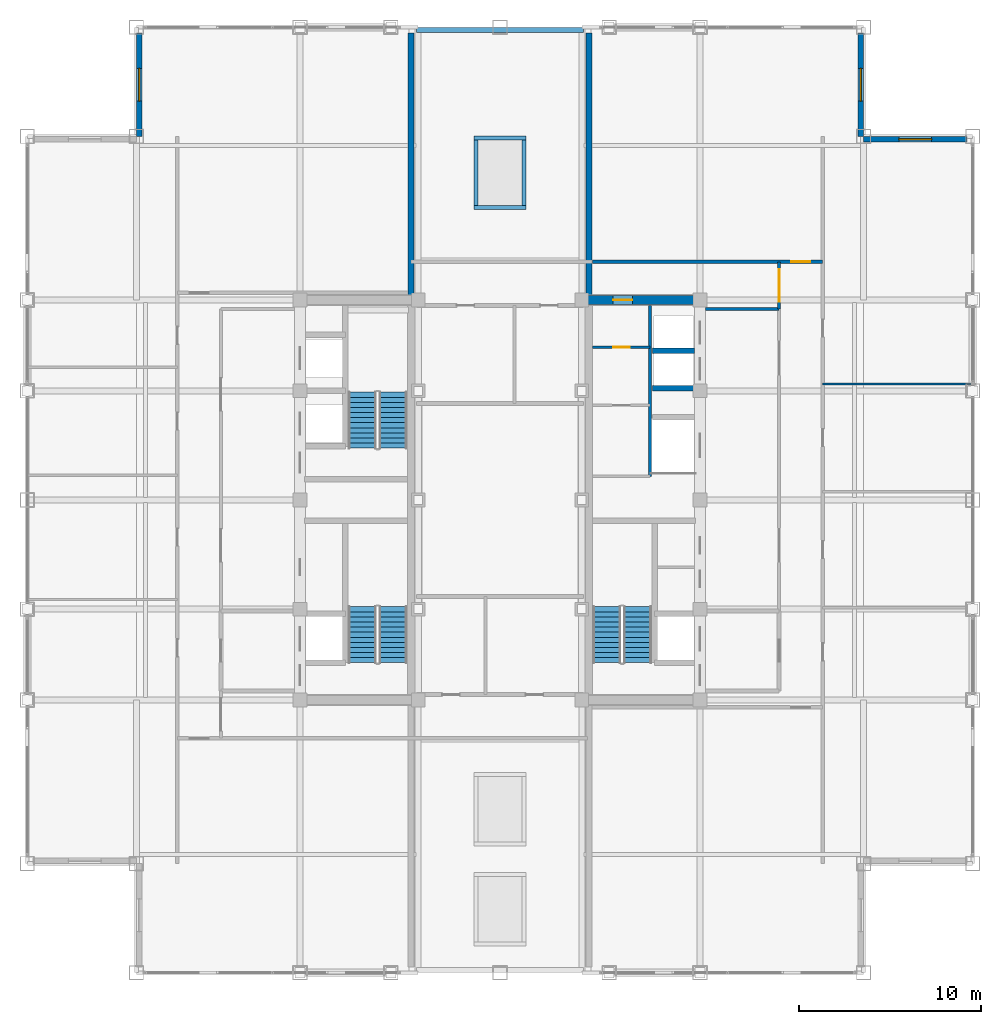
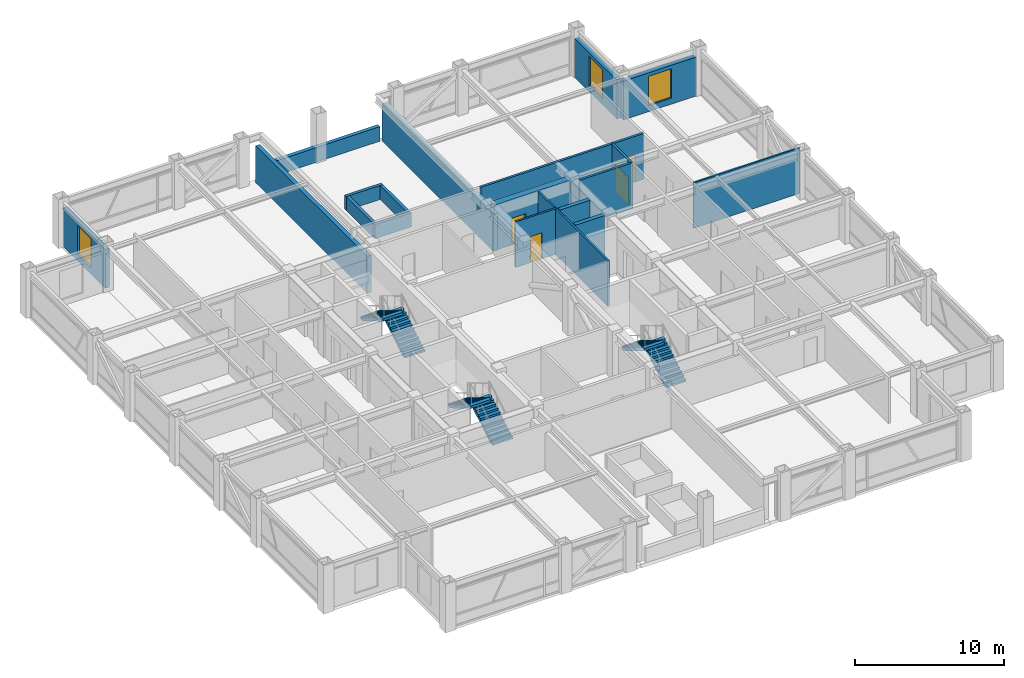
# One storey, part 28 of 29: 19 walls, 6 stair flights, 4 doors, 3 windows, 7 openings, 3 elements without a shape of their own.
"""IFC4 building model written with IfcOpenShell, lengths in metres."""

from ifc_helpers import new_model, si_unit, direction, frame, frame_2d, origin, place, context, subcontext, project, spatial, polyline, rectangle, outline, extrude, source, transform, mapped, material, layer, layer_set, type_object, element, fill, aggregate, save


model = new_model("IFC4")

# Units and contexts
model_context = context("Model", 3, precision=1e-05, world=origin(), true_north=direction((0.0, 1.0)))
body_context = subcontext(model_context, "Body", "Model", "MODEL_VIEW")
ifc_project = project(units=[si_unit("LENGTHUNIT", "METRE"), si_unit("AREAUNIT", "SQUARE_METRE"), si_unit("VOLUMEUNIT", "CUBIC_METRE"), si_unit("PLANEANGLEUNIT", "RADIAN"), si_unit("MASSUNIT", "GRAM", prefix="KILO")], contexts=[model_context])

# Site, building, storey
site_placement = place(None, origin())
site = spatial("IfcSite", under=ifc_project, at=site_placement, CompositionType="ELEMENT")
building_placement = place(site_placement, origin())
building = spatial("IfcBuilding", under=site, at=building_placement, Name="Khorayat Bourse Tower", CompositionType="ELEMENT")
storey_placement = place(building_placement, frame((0.0, 0.0, 346.300048828125)))
storey = spatial("IfcBuildingStorey", under=building, at=storey_placement, Name="L82", CompositionType="ELEMENT", Elevation=346.300048828125)

# Wall, opening, door
ifc_material_1 = material(Name="Concrete C52/65", Category="concrete")
ifc_layer_1 = layer(ifc_material_1, 0.5)
ifc_layer_set_1 = layer_set([ifc_layer_1], Name="Concrete C52/65")
wall_type_1 = type_object("IfcWallType", Name="WAL-CORE-500", PredefinedType="SHEAR", material=ifc_layer_set_1)
shared_shape_1 = source(origin(), body_context, "Body", "SweptSolid", [
    extrude(rectangle(XDim=5.89990234375, YDim=0.5, at=frame_2d((2.949951171875, 0.0))), origin(), (0.0, 0.0, 1.0), 3.739990234375),
])
wall_1_placement = place(storey_placement, frame((4.85009765625, 11.0, 0.0), z_axis=(0.0, 0.0, 1.0), x_axis=(1.0, 0.0, 0.0)))
wall_1 = element("IfcWall", 1, at=wall_1_placement, inside=storey, type_object=wall_type_1, Name="L82 Core Shear Wall PIER-EN", PredefinedType="SHEAR", context=body_context, shape_type="MappedRepresentation", body=[
    mapped(shared_shape_1, transform((0.0, 0.0, 0.0), scale=1.0)),
])
shared_shape_2 = source(origin(), body_context, "Body", "SweptSolid", [
    extrude(rectangle(XDim=1.050048828125, YDim=2.199951171875, at=frame_2d((0.52490234375, 1.10009765625))), frame((0.0, 0.260009765625, 0.0), z_axis=(0.0, -1.0, 0.0), x_axis=(1.0, 0.0, 0.0)), (0.0, 0.0, 1.0), 0.52001953125),
])
opening_1_placement = place(wall_1_placement, frame((1.375, 0.0, 0.0)))
opening_1 = element("IfcOpeningElement", 2, at=opening_1_placement, cuts=wall_1, Name="Opening DI-04", PredefinedType="OPENING", context=body_context, shape_type="MappedRepresentation", body=[
    mapped(shared_shape_2, transform((0.0, 0.0, 0.0), scale=1.0)),
])
ifc_material_2 = material(Name="Fire-rated oak veneer suite entrance door")
door_type_1 = type_object("IfcDoorType", Name="DR-INT-SUITE-1050", OperationType="NOTDEFINED", PredefinedType="DOOR", material=ifc_material_2)
shared_shape_3 = source(origin(), body_context, "Body", "SweptSolid", [
    extrude(rectangle(XDim=1.050048828125, YDim=2.199951171875, at=frame_2d((0.52490234375, 1.10009765625))), frame((0.0, 0.02490234375, 0.0), z_axis=(0.0, -1.0, 0.0), x_axis=(1.0, 0.0, 0.0)), (0.0, 0.0, 1.0), 0.050048828125),
])
door_1_placement = place(opening_1_placement, origin())
door_1 = element("IfcDoor", 3, at=door_1_placement, inside=storey, type_object=door_type_1, Name="L82 Core Washroom Lobby Door", OperationType="SINGLE_SWING_LEFT", OverallHeight=2.199951171875, OverallWidth=1.050048828125, PredefinedType="DOOR", context=body_context, shape_type="MappedRepresentation", body=[
    mapped(shared_shape_3, transform((0.0, 0.0, 0.0), scale=1.0)),
])
fill(opening_1, door_1)

# Wall, opening, window
ifc_material_3 = material(Name="Precast concrete C45/55", Category="concrete")
ifc_layer_2 = layer(ifc_material_3, 0.320068359375)
ifc_layer_set_2 = layer_set([ifc_layer_2], Name="Precast concrete C45/55")
wall_type_2 = type_object("IfcWallType", Name="WAL-EXT-STONE-320", PredefinedType="STANDARD", material=ifc_layer_set_2)
shared_shape_4 = source(origin(), body_context, "Body", "SweptSolid", [
    extrude(rectangle(XDim=5.679931640625, YDim=0.320068359375, at=frame_2d((2.83984375, 0.0))), origin(), (0.0, 0.0, 1.0), 3.19091796875),
])
wall_2_placement = place(storey_placement, frame((20.0, 19.840087890625, 0.0), z_axis=(0.0, 0.0, 1.0), x_axis=(1.0, 0.0, 0.0)))
wall_2 = element("IfcWall", 4, at=wall_2_placement, inside=storey, type_object=wall_type_2, Name="L82 Re-Entrant Notch Limestone Wall NE-H", PredefinedType="STANDARD", context=body_context, shape_type="MappedRepresentation", body=[
    mapped(shared_shape_4, transform((0.0, 0.0, 0.0), scale=1.0)),
])
shared_shape_5 = source(origin(), body_context, "Body", "SweptSolid", [
    extrude(rectangle(XDim=1.800048828125, YDim=2.39990234375, at=frame_2d((0.89990234375, 1.199951171875))), frame((0.0, 0.169921875, 0.0), z_axis=(0.0, -1.0, 0.0), x_axis=(1.0, 0.0, 0.0)), (0.0, 0.0, 1.0), 0.340087890625),
])
opening_2_placement = place(wall_2_placement, frame((1.93994140625, 0.0, 0.5)))
opening_2 = element("IfcOpeningElement", 5, at=opening_2_placement, cuts=wall_2, Name="Opening WN-04", PredefinedType="OPENING", context=body_context, shape_type="MappedRepresentation", body=[
    mapped(shared_shape_5, transform((0.0, 0.0, 0.0), scale=1.0)),
])
ifc_material_4 = material(Name="Low-E acoustic laminated double glazing", Category="glass")
window_type = type_object("IfcWindowType", Name="WIN-NOTCH-1800x2400", PartitioningType="SINGLE_PANEL", PredefinedType="WINDOW", material=ifc_material_4)
shared_shape_6 = source(origin(), body_context, "Body", "SweptSolid", [
    extrude(rectangle(XDim=1.800048828125, YDim=2.39990234375, at=frame_2d((0.89990234375, 1.199951171875))), frame((0.0, 0.030029296875, 0.0), z_axis=(0.0, -1.0, 0.0), x_axis=(1.0, 0.0, 0.0)), (0.0, 0.0, 1.0), 0.06005859375),
])
window_1_placement = place(opening_2_placement, origin())
window_1 = element("IfcWindow", 6, at=window_1_placement, inside=storey, type_object=window_type, Name="L82 Facade Window 1", OverallHeight=2.39990234375, OverallWidth=1.800048828125, PartitioningType="SINGLE_PANEL", PredefinedType="WINDOW", context=body_context, shape_type="MappedRepresentation", body=[
    mapped(shared_shape_6, transform((0.0, 0.0, 0.0), scale=1.0)),
])
fill(opening_2, window_1)

wall_3_placement = place(storey_placement, frame((19.840087890625, 20.0, 0.0), z_axis=(0.0, 0.0, 1.0), x_axis=(0.0, 1.0, 0.0)))
wall_3 = element("IfcWall", 7, at=wall_3_placement, inside=storey, type_object=wall_type_2, Name="L82 Re-Entrant Notch Limestone Wall NE-V", PredefinedType="STANDARD", context=body_context, shape_type="MappedRepresentation", body=[
    mapped(shared_shape_4, transform((0.0, 0.0, 0.0), scale=1.0)),
])
opening_3_placement = place(wall_3_placement, frame((1.93994140625, 0.0, 0.5)))
opening_3 = element("IfcOpeningElement", 8, at=opening_3_placement, cuts=wall_3, Name="Opening WN-04", PredefinedType="OPENING", context=body_context, shape_type="MappedRepresentation", body=[
    mapped(shared_shape_5, transform((0.0, 0.0, 0.0), scale=1.0)),
])
window_2_placement = place(opening_3_placement, origin())
window_2 = element("IfcWindow", 9, at=window_2_placement, inside=storey, type_object=window_type, Name="L82 Facade Window 1", OverallHeight=2.39990234375, OverallWidth=1.800048828125, PartitioningType="SINGLE_PANEL", PredefinedType="WINDOW", context=body_context, shape_type="MappedRepresentation", body=[
    mapped(shared_shape_6, transform((0.0, 0.0, 0.0), scale=1.0)),
])
fill(opening_3, window_2)

wall_4_placement = place(storey_placement, frame((-19.840087890625, 20.0, 0.0), z_axis=(0.0, 0.0, 1.0), x_axis=(0.0, 1.0, 0.0)))
wall_4 = element("IfcWall", 10, at=wall_4_placement, inside=storey, type_object=wall_type_2, Name="L82 Re-Entrant Notch Limestone Wall NW-V", PredefinedType="STANDARD", context=body_context, shape_type="MappedRepresentation", body=[
    mapped(shared_shape_4, transform((0.0, 0.0, 0.0), scale=1.0)),
])
opening_4_placement = place(wall_4_placement, frame((1.93994140625, 0.0, 0.5)))
opening_4 = element("IfcOpeningElement", 11, at=opening_4_placement, cuts=wall_4, Name="Opening WN-04", PredefinedType="OPENING", context=body_context, shape_type="MappedRepresentation", body=[
    mapped(shared_shape_5, transform((0.0, 0.0, 0.0), scale=1.0)),
])
window_3_placement = place(opening_4_placement, origin())
window_3 = element("IfcWindow", 12, at=window_3_placement, inside=storey, type_object=window_type, Name="L82 Facade Window 1", OverallHeight=2.39990234375, OverallWidth=1.800048828125, PartitioningType="SINGLE_PANEL", PredefinedType="WINDOW", context=body_context, shape_type="MappedRepresentation", body=[
    mapped(shared_shape_6, transform((0.0, 0.0, 0.0), scale=1.0)),
])
fill(opening_4, window_3)

# Walls
ifc_layer_3 = layer(ifc_material_3, 0.280029296875)
ifc_layer_set_3 = layer_set([ifc_layer_3], Name="Precast concrete C45/55")
wall_type_3 = type_object("IfcWallType", Name="WAL-PARAPET-280", PredefinedType="PARAPET", material=ifc_layer_set_3)
shared_shape_7 = source(origin(), body_context, "Body", "SweptSolid", [
    extrude(rectangle(XDim=9.2001953125, YDim=0.280029296875, at=frame_2d((4.60009765625, 0.0))), origin(), (0.0, 0.0, 1.0), 1.199951171875),
])
wall_5_placement = place(storey_placement, frame((-4.60009765625, 25.860107421875, 0.0), z_axis=(0.0, 0.0, 1.0), x_axis=(1.0, 0.0, 0.0)))
element("IfcWall", 13, at=wall_5_placement, inside=storey, type_object=wall_type_3, Name="L82 Wind Portal Base Parapet N", PredefinedType="PARAPET", context=body_context, shape_type="MappedRepresentation", body=[
    mapped(shared_shape_7, transform((0.0, 0.0, 0.0), scale=1.0)),
])
shared_shape_8 = source(origin(), body_context, "Body", "SweptSolid", [
    extrude(rectangle(XDim=14.97998046875, YDim=0.320068359375, at=frame_2d((7.489990234375, 0.0))), origin(), (0.0, 0.0, 1.0), 3.044921875),
])
for number, where, z_axis, x_axis, name in (
    (14, (-4.89990234375, 10.699951171875, 0.0), (0.0, 0.0, 1.0), (0.0, 1.0, 0.0), "L82 Wind Portal West Cheek Wall N"),
    (15, (4.89990234375, 10.699951171875, 0.0), (0.0, 0.0, 1.0), (0.0, 1.0, 0.0), "L82 Wind Portal East Cheek Wall N"),
):
    element("IfcWall", number, at=place(storey_placement, frame(where, z_axis=z_axis, x_axis=x_axis)), inside=storey, type_object=wall_type_2, Name=name, PredefinedType="STANDARD", context=body_context, shape_type="MappedRepresentation", body=[
        mapped(shared_shape_8, transform((0.0, 0.0, 0.0), scale=1.0)),
    ])
ifc_layer_4 = layer(ifc_material_3, 0.219970703125)
ifc_layer_set_4 = layer_set([ifc_layer_4], Name="Precast concrete C45/55")
wall_type_4 = type_object("IfcWallType", Name="WAL-PARAPET-220", PredefinedType="PARAPET", material=ifc_layer_set_4)
shared_shape_9 = source(origin(), body_context, "Body", "SweptSolid", [
    extrude(rectangle(XDim=2.83984375, YDim=0.219970703125, at=frame_2d((1.419921875, 0.0))), origin(), (0.0, 0.0, 1.0), 1.14990234375),
])
for number, where, z_axis, x_axis, name in (
    (16, (-1.419921875, 16.090087890625, 0.0), (0.0, 0.0, 1.0), (1.0, 0.0, 0.0), "L82 Roof Opening Upstand Curb SKY-ROOF-N-S"),
    (17, (-1.419921875, 19.909912109375, 0.0), (0.0, 0.0, 1.0), (1.0, 0.0, 0.0), "L82 Roof Opening Upstand Curb SKY-ROOF-N-N"),
):
    element("IfcWall", number, at=place(storey_placement, frame(where, z_axis=z_axis, x_axis=x_axis)), inside=storey, type_object=wall_type_4, Name=name, PredefinedType="PARAPET", context=body_context, shape_type="MappedRepresentation", body=[
        mapped(shared_shape_9, transform((0.0, 0.0, 0.0), scale=1.0)),
    ])
shared_shape_10 = source(origin(), body_context, "Body", "SweptSolid", [
    extrude(rectangle(XDim=3.60009765625, YDim=0.219970703125, at=frame_2d((1.800048828125, 0.0))), origin(), (0.0, 0.0, 1.0), 1.14990234375),
])
for number, where, z_axis, x_axis, name in (
    (18, (-1.31005859375, 16.199951171875, 0.0), (0.0, 0.0, 1.0), (0.0, 1.0, 0.0), "L82 Roof Opening Upstand Curb SKY-ROOF-N-W"),
    (19, (1.31005859375, 16.199951171875, 0.0), (0.0, 0.0, 1.0), (0.0, 1.0, 0.0), "L82 Roof Opening Upstand Curb SKY-ROOF-N-E"),
):
    element("IfcWall", number, at=place(storey_placement, frame(where, z_axis=z_axis, x_axis=x_axis)), inside=storey, type_object=wall_type_4, Name=name, PredefinedType="PARAPET", context=body_context, shape_type="MappedRepresentation", body=[
        mapped(shared_shape_10, transform((0.0, 0.0, 0.0), scale=1.0)),
    ])
ifc_material_5 = material(Name="Concrete C50/60", Category="concrete")
ifc_layer_5 = layer(ifc_material_5, 0.300048828125)
ifc_layer_set_5 = layer_set([ifc_layer_5], Name="Concrete C50/60")
wall_type_5 = type_object("IfcWallType", Name="WAL-SHAFT-300", PredefinedType="SHEAR", material=ifc_layer_set_5)
shared_shape_11 = source(origin(), body_context, "Body", "SweptSolid", [
    extrude(rectangle(XDim=2.300048828125, YDim=0.300048828125, at=frame_2d((1.14990234375, 0.0))), origin(), (0.0, 0.0, 1.0), 3.739990234375),
])
for number, where, z_axis, x_axis, name in (
    (20, (8.39990234375, 6.14990234375, 0.0), (0.0, 0.0, 1.0), (1.0, 0.0, 0.0), "L82 Partition WAL-L82-EPIER-H3S"),
    (21, (8.39990234375, 8.199951171875, 0.0), (0.0, 0.0, 1.0), (1.0, 0.0, 0.0), "L82 Partition WAL-L82-EPIER-H34"),
):
    element("IfcWall", number, at=place(storey_placement, frame(where, z_axis=z_axis, x_axis=x_axis)), inside=storey, type_object=wall_type_5, Name=name, PredefinedType="SHEAR", context=body_context, shape_type="MappedRepresentation", body=[
        mapped(shared_shape_11, transform((0.0, 0.0, 0.0), scale=1.0)),
    ])
ifc_material_6 = material(Name="Moisture-resistant masonry partition", Category="masonry")
ifc_layer_6 = layer(ifc_material_6, 0.139892578125)
ifc_layer_set_6 = layer_set([ifc_layer_6], Name="Moisture-resistant masonry partition")
wall_type_6 = type_object("IfcWallType", Name="WAL-PART-WET-140", PredefinedType="PARTITIONING", material=ifc_layer_set_6)
shared_shape_12 = source(origin(), body_context, "Body", "SweptSolid", [
    extrude(rectangle(XDim=9.39990234375, YDim=0.139892578125, at=frame_2d((4.699951171875, 0.0))), origin(), (0.0, 0.0, 1.0), 3.739990234375),
])
wall_6_placement = place(storey_placement, frame((8.25, 1.300048828125, 0.0), z_axis=(0.0, 0.0, 1.0), x_axis=(0.0, 1.0, 0.0)))
element("IfcWall", 22, at=wall_6_placement, inside=storey, type_object=wall_type_6, Name="L82 Partition WAL-L82-ECORE-E", PredefinedType="PARTITIONING", context=body_context, shape_type="MappedRepresentation", body=[
    mapped(shared_shape_12, transform((0.0, 0.0, 0.0), scale=1.0)),
])

# Wall, opening, door
shared_shape_13 = source(origin(), body_context, "Body", "SweptSolid", [
    extrude(rectangle(XDim=3.14990234375, YDim=0.139892578125, at=frame_2d((1.574951171875, 0.0))), origin(), (0.0, 0.0, 1.0), 3.739990234375),
])
wall_7_placement = place(storey_placement, frame((5.10009765625, 8.39990234375, 0.0), z_axis=(0.0, 0.0, 1.0), x_axis=(1.0, 0.0, 0.0)))
wall_7 = element("IfcWall", 23, at=wall_7_placement, inside=storey, type_object=wall_type_6, Name="L82 Partition WAL-L82-ECW-TOP", PredefinedType="PARTITIONING", context=body_context, shape_type="MappedRepresentation", body=[
    mapped(shared_shape_13, transform((0.0, 0.0, 0.0), scale=1.0)),
])
shared_shape_14 = source(origin(), body_context, "Body", "SweptSolid", [
    extrude(rectangle(XDim=0.89990234375, YDim=2.14990234375, at=frame_2d((0.449951171875, 1.074951171875))), frame((0.0, 0.079833984375, 0.0), z_axis=(0.0, -1.0, 0.0), x_axis=(1.0, 0.0, 0.0)), (0.0, 0.0, 1.0), 0.159912109375),
])
opening_5_placement = place(wall_7_placement, frame((1.1298828125, 0.0, 0.0)))
opening_5 = element("IfcOpeningElement", 24, at=opening_5_placement, cuts=wall_7, Name="Opening DI-06", PredefinedType="OPENING", context=body_context, shape_type="MappedRepresentation", body=[
    mapped(shared_shape_14, transform((0.0, 0.0, 0.0), scale=1.0)),
])
ifc_material_7 = material(Name="Moisture-resistant laminate washroom door")
door_type_2 = type_object("IfcDoorType", Name="DR-INT-WC-900", OperationType="NOTDEFINED", PredefinedType="DOOR", material=ifc_material_7)
shared_shape_15 = source(origin(), body_context, "Body", "SweptSolid", [
    extrude(rectangle(XDim=0.89990234375, YDim=2.14990234375, at=frame_2d((0.449951171875, 1.074951171875))), frame((0.0, 0.02490234375, 0.0), z_axis=(0.0, -1.0, 0.0), x_axis=(1.0, 0.0, 0.0)), (0.0, 0.0, 1.0), 0.050048828125),
])
door_2_placement = place(opening_5_placement, origin())
door_2 = element("IfcDoor", 25, at=door_2_placement, inside=storey, type_object=door_type_2, Name="L82 Accessible WC Door", OperationType="SINGLE_SWING_LEFT", OverallHeight=2.14990234375, OverallWidth=0.89990234375, PredefinedType="DOOR", context=body_context, shape_type="MappedRepresentation", body=[
    mapped(shared_shape_15, transform((0.0, 0.0, 0.0), scale=1.0)),
])
fill(opening_5, door_2)

# Wall
ifc_material_8 = material(Name="Gypsum plasterboard acoustic stud wall")
ifc_layer_7 = layer(ifc_material_8, 0.179931640625)
ifc_layer_set_7 = layer_set([ifc_layer_7], Name="Gypsum plasterboard acoustic stud wall")
wall_type_7 = type_object("IfcWallType", Name="WAL-PART-CORR-180", PredefinedType="PARTITIONING", material=ifc_layer_set_7)
shared_shape_16 = source(origin(), body_context, "Body", "SweptSolid", [
    extrude(rectangle(XDim=4.050048828125, YDim=0.179931640625, at=frame_2d((2.02490234375, 0.0))), origin(), (0.0, 0.0, 1.0), 3.739990234375),
])
wall_8_placement = place(storey_placement, frame((11.300048828125, 10.5, 0.0), z_axis=(0.0, 0.0, 1.0), x_axis=(1.0, 0.0, 0.0)))
element("IfcWall", 26, at=wall_8_placement, inside=storey, type_object=wall_type_7, Name="L82 Partition WAL-L82-ELOB-N", PredefinedType="PARTITIONING", context=body_context, shape_type="MappedRepresentation", body=[
    mapped(shared_shape_16, transform((0.0, 0.0, 0.0), scale=1.0)),
])

# Wall, opening, door
shared_shape_17 = source(origin(), body_context, "Body", "SweptSolid", [
    extrude(rectangle(XDim=2.60009765625, YDim=0.179931640625, at=frame_2d((1.300048828125, 0.0))), origin(), (0.0, 0.0, 1.0), 3.739990234375),
])
wall_9_placement = place(storey_placement, frame((15.35009765625, 10.5, 0.0), z_axis=(0.0, 0.0, 1.0), x_axis=(0.0, 1.0, 0.0)))
wall_9 = element("IfcWall", 27, at=wall_9_placement, inside=storey, type_object=wall_type_7, Name="L82 Partition WAL-L82-ECSTUB-E", PredefinedType="PARTITIONING", context=body_context, shape_type="MappedRepresentation", body=[
    mapped(shared_shape_17, transform((0.0, 0.0, 0.0), scale=1.0)),
])
shared_shape_18 = source(origin(), body_context, "Body", "SweptSolid", [
    extrude(rectangle(XDim=1.800048828125, YDim=2.25, at=frame_2d((0.89990234375, 1.125))), frame((0.0, 0.099853515625, 0.0), z_axis=(0.0, -1.0, 0.0), x_axis=(1.0, 0.0, 0.0)), (0.0, 0.0, 1.0), 0.199951171875),
])
opening_6_placement = place(wall_9_placement, frame((0.39990234375, 0.0, 0.0)))
opening_6 = element("IfcOpeningElement", 28, at=opening_6_placement, cuts=wall_9, Name="Opening DI-03", PredefinedType="OPENING", context=body_context, shape_type="MappedRepresentation", body=[
    mapped(shared_shape_18, transform((0.0, 0.0, 0.0), scale=1.0)),
])
ifc_material_9 = material(Name="Fire-rated hardwood vision-panel double leaf", Category="wood")
door_type_3 = type_object("IfcDoorType", Name="DR-INT-CORR-1800", OperationType="NOTDEFINED", PredefinedType="DOOR", material=ifc_material_9)
shared_shape_19 = source(origin(), body_context, "Body", "SweptSolid", [
    extrude(rectangle(XDim=1.800048828125, YDim=2.25, at=frame_2d((0.89990234375, 1.125))), frame((0.0, 0.02490234375, 0.0), z_axis=(0.0, -1.0, 0.0), x_axis=(1.0, 0.0, 0.0)), (0.0, 0.0, 1.0), 0.050048828125),
])
door_3_placement = place(opening_6_placement, origin())
door_3 = element("IfcDoor", 29, at=door_3_placement, inside=storey, type_object=door_type_3, Name="L82 East Portal Bridge Corridor Door", OperationType="DOUBLE_DOOR_SINGLE_SWING", OverallHeight=2.25, OverallWidth=1.800048828125, PredefinedType="DOOR", context=body_context, shape_type="MappedRepresentation", body=[
    mapped(shared_shape_19, transform((0.0, 0.0, 0.0), scale=1.0)),
])
fill(opening_6, door_3)

shared_shape_20 = source(origin(), body_context, "Body", "SweptSolid", [
    extrude(rectangle(XDim=12.64990234375, YDim=0.179931640625, at=frame_2d((6.324951171875, 0.0))), origin(), (0.0, 0.0, 1.0), 3.739990234375),
])
wall_10_placement = place(storey_placement, frame((5.10009765625, 13.10009765625, 0.0), z_axis=(0.0, 0.0, 1.0), x_axis=(1.0, 0.0, 0.0)))
wall_10 = element("IfcWall", 30, at=wall_10_placement, inside=storey, type_object=wall_type_7, Name="L82 Partition WAL-L82-EPN-S", PredefinedType="PARTITIONING", context=body_context, shape_type="MappedRepresentation", body=[
    mapped(shared_shape_20, transform((0.0, 0.0, 0.0), scale=1.0)),
])
shared_shape_21 = source(origin(), body_context, "Body", "SweptSolid", [
    extrude(rectangle(XDim=1.050048828125, YDim=2.199951171875, at=frame_2d((0.52490234375, 1.10009765625))), frame((0.0, 0.099853515625, 0.0), z_axis=(0.0, -1.0, 0.0), x_axis=(1.0, 0.0, 0.0)), (0.0, 0.0, 1.0), 0.199951171875),
])
opening_7_placement = place(wall_10_placement, frame((10.925048828125, 0.0, 0.0)))
opening_7 = element("IfcOpeningElement", 31, at=opening_7_placement, cuts=wall_10, Name="Opening DI-04", PredefinedType="OPENING", context=body_context, shape_type="MappedRepresentation", body=[
    mapped(shared_shape_21, transform((0.0, 0.0, 0.0), scale=1.0)),
])
door_4_placement = place(opening_7_placement, origin())
door_4 = element("IfcDoor", 32, at=door_4_placement, inside=storey, type_object=door_type_1, Name="L82 East Portal Lab Door", OperationType="SINGLE_SWING_RIGHT", OverallHeight=2.199951171875, OverallWidth=1.050048828125, PredefinedType="DOOR", context=body_context, shape_type="MappedRepresentation", body=[
    mapped(shared_shape_3, transform((0.0, 0.0, 0.0), scale=1.0)),
])
fill(opening_7, door_4)

# Wall
ifc_material_10 = material(Name="Gypsum plasterboard partition")
ifc_layer_8 = layer(ifc_material_10, 0.125)
ifc_layer_set_8 = layer_set([ifc_layer_8], Name="Gypsum plasterboard partition")
wall_type_8 = type_object("IfcWallType", Name="WAL-PART-ROOM-125", PredefinedType="PARTITIONING", material=ifc_layer_set_8)
shared_shape_22 = source(origin(), body_context, "Body", "SweptSolid", [
    extrude(rectangle(XDim=8.25, YDim=0.125, at=frame_2d((4.125, 0.0))), origin(), (0.0, 0.0, 1.0), 3.739990234375),
])
wall_11_placement = place(storey_placement, frame((17.75, 6.384033203125, 0.0), z_axis=(0.0, 0.0, 1.0), x_axis=(1.0, 0.0, 0.0)))
element("IfcWall", 33, at=wall_11_placement, inside=storey, type_object=wall_type_8, Name="L82 Partition WAL-L82-WPEDV-3", PredefinedType="PARTITIONING", context=body_context, shape_type="MappedRepresentation", body=[
    mapped(shared_shape_22, transform((0.0, 0.0, 0.0), scale=1.0)),
])

# Stair, stair flights
ifc_material_11 = material(Name="Concrete C40/50", Category="concrete")
stair_type = type_object("IfcStairType", Name="STR-CORE-1550", PredefinedType="HALF_TURN_STAIR", material=ifc_material_11)
stair_1_placement = place(storey_placement, origin())
stair_1 = element("IfcStair", 34, at=stair_1_placement, inside=storey, type_object=stair_type, Name="L82 Exit Stair ST-1", PredefinedType="HALF_TURN_STAIR")
stair_flight_type = type_object("IfcStairFlightType", Name="FLT-CORE-1550", PredefinedType="STRAIGHT", material=ifc_material_11)
shared_shape_23 = source(origin(), body_context, "Body", "SweptSolid", [
    extrude(outline(polyline([(0.0, 0.0), (0.0, 0.166748046875), (0.280029296875, 0.166748046875), (0.280029296875, 0.333251953125), (0.56005859375, 0.333251953125), (0.56005859375, 0.5), (0.840087890625, 0.5), (0.840087890625, 0.666748046875), (1.1201171875, 0.666748046875), (1.1201171875, 0.833251953125), (1.39990234375, 0.833251953125), (1.39990234375, 1.0), (1.679931640625, 1.0), (1.679931640625, 1.166748046875), (1.9599609375, 1.166748046875), (1.9599609375, 1.333251953125), (2.239990234375, 1.333251953125), (2.239990234375, 1.5), (2.52001953125, 1.5), (2.52001953125, 1.666748046875), (2.800048828125, 1.666748046875), (2.800048828125, 1.833251953125), (3.080078125, 1.833251953125), (3.080078125, 2.0), (3.080078125, 1.6240234375), (0.351806640625, 0.0), (0.0, 0.0)])), frame((0.0, 0.77490234375, 0.0), z_axis=(0.0, -1.0, 0.0), x_axis=(1.0, 0.0, 0.0)), (0.0, 0.0, 1.0), 1.550048828125),
])
stair_flight_1_placement = place(storey_placement, frame((-5.875, -8.949951171875, 0.0), z_axis=(0.0, 0.0, 1.0), x_axis=(0.0, 1.0, 0.0)))
stair_flight_1 = element("IfcStairFlight", 35, at=stair_flight_1_placement, type_object=stair_flight_type, Name="ST-1 flight 1", NumberOfRisers=12, NumberOfTreads=11, PredefinedType="STRAIGHT", RiserHeight=0.166666667, TreadLength=0.28, context=body_context, shape_type="MappedRepresentation", body=[
    mapped(shared_shape_23, transform((0.0, 0.0, 0.0), scale=1.0)),
])
stair_flight_2_placement = place(storey_placement, frame((-7.574951171875, -5.8701171875, 2.0), z_axis=(0.0, 0.0, 1.0), x_axis=(0.0, -1.0, 0.0)))
stair_flight_2 = element("IfcStairFlight", 36, at=stair_flight_2_placement, type_object=stair_flight_type, Name="ST-1 flight 2", NumberOfRisers=12, NumberOfTreads=11, PredefinedType="STRAIGHT", RiserHeight=0.166666667, TreadLength=0.28, context=body_context, shape_type="MappedRepresentation", body=[
    mapped(shared_shape_23, transform((0.0, 0.0, 0.0), scale=1.0)),
])
aggregate(stair_1, [stair_flight_1, stair_flight_2])

stair_2_placement = place(storey_placement, origin())
stair_2 = element("IfcStair", 37, at=stair_2_placement, inside=storey, type_object=stair_type, Name="L82 Exit Stair ST-2", PredefinedType="HALF_TURN_STAIR")
stair_flight_3_placement = place(storey_placement, frame((-5.875, 2.85009765625, 0.0), z_axis=(0.0, 0.0, 1.0), x_axis=(0.0, 1.0, 0.0)))
stair_flight_3 = element("IfcStairFlight", 38, at=stair_flight_3_placement, type_object=stair_flight_type, Name="ST-2 flight 1", NumberOfRisers=12, NumberOfTreads=11, PredefinedType="STRAIGHT", RiserHeight=0.166666667, TreadLength=0.28, context=body_context, shape_type="MappedRepresentation", body=[
    mapped(shared_shape_23, transform((0.0, 0.0, 0.0), scale=1.0)),
])
stair_flight_4_placement = place(storey_placement, frame((-7.574951171875, 5.929931640625, 2.0), z_axis=(0.0, 0.0, 1.0), x_axis=(0.0, -1.0, 0.0)))
stair_flight_4 = element("IfcStairFlight", 39, at=stair_flight_4_placement, type_object=stair_flight_type, Name="ST-2 flight 2", NumberOfRisers=12, NumberOfTreads=11, PredefinedType="STRAIGHT", RiserHeight=0.166666667, TreadLength=0.28, context=body_context, shape_type="MappedRepresentation", body=[
    mapped(shared_shape_23, transform((0.0, 0.0, 0.0), scale=1.0)),
])
aggregate(stair_2, [stair_flight_3, stair_flight_4])

stair_3_placement = place(storey_placement, origin())
stair_3 = element("IfcStair", 40, at=stair_3_placement, inside=storey, type_object=stair_type, Name="L82 Exit Stair ST-3", PredefinedType="HALF_TURN_STAIR")
stair_flight_5_placement = place(storey_placement, frame((7.574951171875, -8.949951171875, 0.0), z_axis=(0.0, 0.0, 1.0), x_axis=(0.0, 1.0, 0.0)))
stair_flight_5 = element("IfcStairFlight", 41, at=stair_flight_5_placement, type_object=stair_flight_type, Name="ST-3 flight 1", NumberOfRisers=12, NumberOfTreads=11, PredefinedType="STRAIGHT", RiserHeight=0.166666667, TreadLength=0.28, context=body_context, shape_type="MappedRepresentation", body=[
    mapped(shared_shape_23, transform((0.0, 0.0, 0.0), scale=1.0)),
])
stair_flight_6_placement = place(storey_placement, frame((5.875, -5.8701171875, 2.0), z_axis=(0.0, 0.0, 1.0), x_axis=(0.0, -1.0, 0.0)))
stair_flight_6 = element("IfcStairFlight", 42, at=stair_flight_6_placement, type_object=stair_flight_type, Name="ST-3 flight 2", NumberOfRisers=12, NumberOfTreads=11, PredefinedType="STRAIGHT", RiserHeight=0.166666667, TreadLength=0.28, context=body_context, shape_type="MappedRepresentation", body=[
    mapped(shared_shape_23, transform((0.0, 0.0, 0.0), scale=1.0)),
])
aggregate(stair_3, [stair_flight_5, stair_flight_6])

save(model, "model.ifc")
